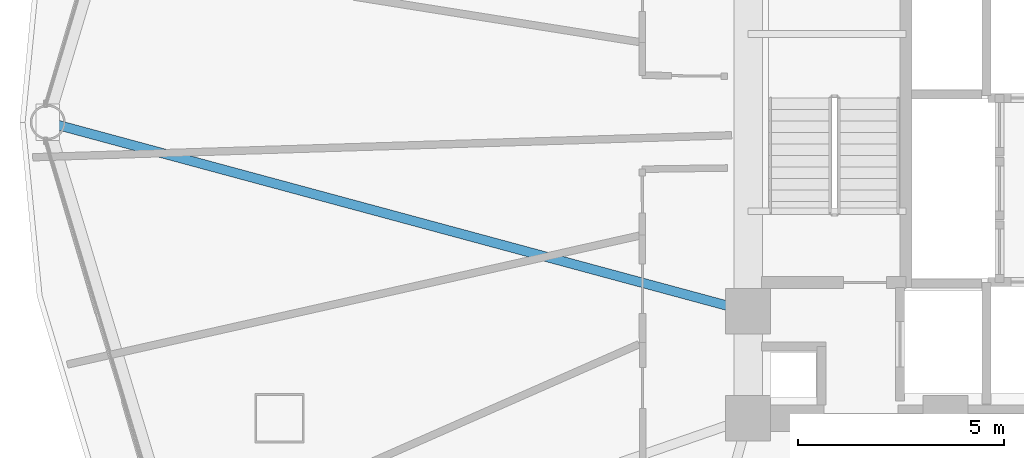
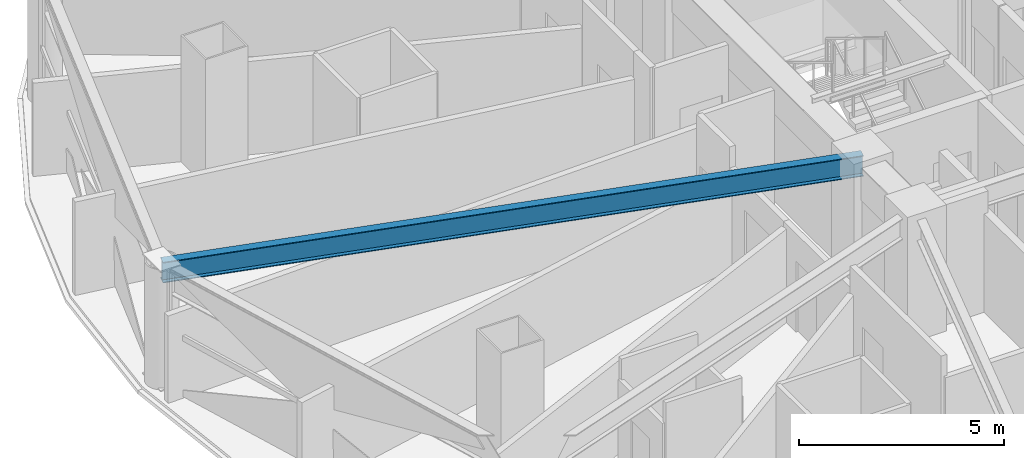
# One storey, part 7 of 32: 1 beam.
"""IFC4 building model written with IfcOpenShell, lengths in metres."""

from ifc_helpers import new_model, si_unit, direction, frame, origin, origin_2d, place, context, subcontext, project, spatial, i_section, extrude, material, material_profile, profile_set, type_object, element, save


model = new_model("IFC4")

# Units and contexts
model_context = context("Model", 3, precision=1e-05, world=origin(), true_north=direction((0.0, 1.0)))
body_context = subcontext(model_context, "Body", "Model", "MODEL_VIEW")
ifc_project = project(units=[si_unit("LENGTHUNIT", "METRE"), si_unit("AREAUNIT", "SQUARE_METRE"), si_unit("VOLUMEUNIT", "CUBIC_METRE"), si_unit("PLANEANGLEUNIT", "RADIAN"), si_unit("MASSUNIT", "GRAM", prefix="KILO")], contexts=[model_context])

# Site, building, storey
site_placement = place(None, origin())
site = spatial("IfcSite", under=ifc_project, at=site_placement, CompositionType="ELEMENT")
building_placement = place(site_placement, origin())
building = spatial("IfcBuilding", under=site, at=building_placement, Name="Vantalir Tower", CompositionType="ELEMENT")
storey_placement = place(building_placement, frame((0.0, 0.0, 45.75)))
storey = spatial("IfcBuildingStorey", under=building, at=storey_placement, Name="L10", CompositionType="ELEMENT", Elevation=45.75)

# Beam
ifc_material = material(Name="Steel S355", Category="steel")
ifc_material_profile = material_profile(ifc_material, i_section(OverallWidth=0.22998046875, OverallDepth=0.616943359375, WebThickness=0.01318359375, FlangeThickness=0.022216796875, at=origin_2d()), Name="Steel S355")
ifc_profile_set = profile_set([ifc_material_profile], Name="Steel S355")
beam_type = type_object("IfcBeamType", Name="BM-RB-610x229", PredefinedType="BEAM", material=ifc_profile_set)
beam_placement = place(storey_placement, frame((4.861083984375, 25.0, 3.261962890625), z_axis=(0.965434547817, -0.260645609749, 0.0), x_axis=(0.260645609749, 0.965434547817, 0.0)))
element("IfcBeam", 1, at=beam_placement, inside=storey, type_object=beam_type, Name="L10 Radial Floor Beam 07", PredefinedType="BEAM", context=body_context, shape_type="SweptSolid", body=[
    extrude(i_section(OverallWidth=0.22998046875, OverallDepth=0.616943359375, WebThickness=0.01318359375, FlangeThickness=0.022216796875, at=origin_2d()), origin(), (0.0, 0.0, 1.0), 17.64892578125),
])

save(model, "model.ifc")
